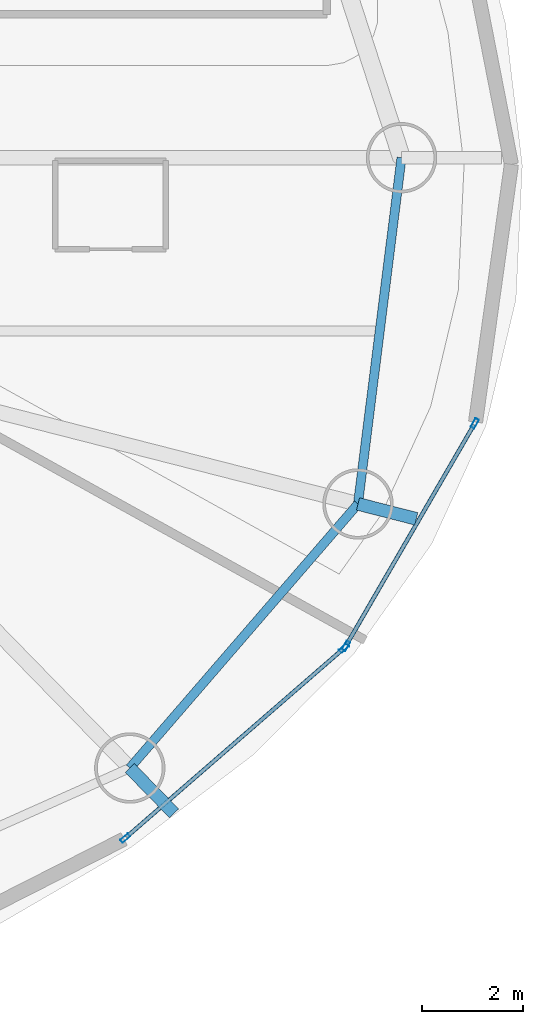
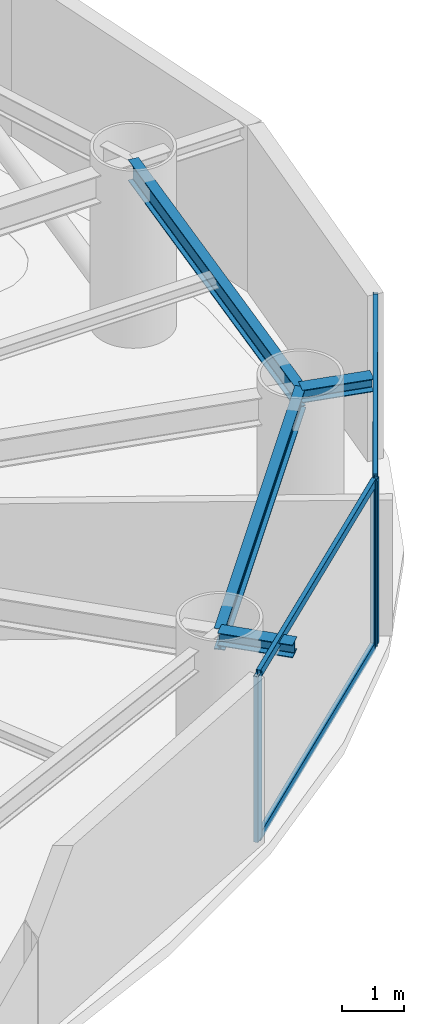
# One storey, part 5 of 19: 8 members, 4 beams, 2 elements without a shape of their own.
"""IFC4 building model written with IfcOpenShell, lengths in metres."""

from ifc_helpers import new_model, si_unit, direction, frame, origin, origin_2d, place, context, subcontext, project, spatial, hollow_rectangle, i_section, extrude, material, layer, layer_set, material_profile, profile_set, type_object, element, aggregate, save


model = new_model("IFC4")

# Units and contexts
model_context = context("Model", 3, precision=1e-05, world=origin(), true_north=direction((0.0, 1.0)))
body_context = subcontext(model_context, "Body", "Model", "MODEL_VIEW")
ifc_project = project(units=[si_unit("LENGTHUNIT", "METRE"), si_unit("AREAUNIT", "SQUARE_METRE"), si_unit("VOLUMEUNIT", "CUBIC_METRE"), si_unit("PLANEANGLEUNIT", "RADIAN"), si_unit("MASSUNIT", "GRAM", prefix="KILO")], contexts=[model_context])

# Site, building, storey
site_placement = place(None, origin())
site = spatial("IfcSite", under=ifc_project, at=site_placement, CompositionType="ELEMENT")
building_placement = place(site_placement, origin())
building = spatial("IfcBuilding", under=site, at=building_placement, Name="Bramvorn Convention Spire", CompositionType="ELEMENT")
storey_placement = place(building_placement, frame((0.0, 0.0, 109.800048828125)))
storey = spatial("IfcBuildingStorey", under=building, at=storey_placement, Name="L26", CompositionType="ELEMENT", Elevation=109.800048828125)

# Beams
ifc_material_1 = material(Name="Steel CSA G40.21 Grade 350 (350W)", Category="steel")
ifc_material_profile_1 = material_profile(ifc_material_1, i_section(OverallWidth=0.25390625, OverallDepth=0.2529296875, WebThickness=0.008544921875, FlangeThickness=0.01416015625, FilletRadius=0.011962890625, at=origin_2d()))
ifc_profile_set_1 = profile_set([ifc_material_profile_1], Name="Steel CSA G40.21 Grade 350 (350W) - W250X73")
beam_type_1 = type_object("IfcBeamType", Name="BM-W250X73", PredefinedType="BEAM", material=ifc_profile_set_1)
beam_1_placement = place(storey_placement, frame((62.11767578125, 15.26220703125, 3.133544921875), z_axis=(0.968844838785, -0.247668484794, 0.0), x_axis=(0.247668484794, 0.968844838785, 0.0)))
element("IfcBeam", 1, at=beam_1_placement, inside=storey, type_object=beam_type_1, Name="L26 slab-edge cantilever tip beam MC01", PredefinedType="BEAM", context=body_context, shape_type="SweptSolid", body=[
    extrude(i_section(OverallWidth=0.25390625, OverallDepth=0.2529296875, WebThickness=0.008544921875, FlangeThickness=0.01416015625, FilletRadius=0.011962890625, at=origin_2d()), origin(), (0.0, 0.0, 1.0), 1.19677734375),
])
beam_2_placement = place(storey_placement, frame((57.579833984375, 10.0107421875, 3.133544921875), z_axis=(0.698236690754, -0.715866973456, 0.0), x_axis=(0.715866973456, 0.698236690754, 0.0)))
element("IfcBeam", 2, at=beam_2_placement, inside=storey, type_object=beam_type_1, Name="L26 slab-edge cantilever tip beam MC16", PredefinedType="BEAM", context=body_context, shape_type="SweptSolid", body=[
    extrude(i_section(OverallWidth=0.25390625, OverallDepth=0.2529296875, WebThickness=0.008544921875, FlangeThickness=0.01416015625, FilletRadius=0.011962890625, at=origin_2d()), origin(), (0.0, 0.0, 1.0), 1.26025390625),
])
ifc_material_profile_2 = material_profile(ifc_material_1, i_section(OverallWidth=0.180908203125, OverallDepth=0.4169921875, WebThickness=0.010986328125, FlangeThickness=0.018310546875, FilletRadius=0.01611328125, at=origin_2d()))
ifc_profile_set_2 = profile_set([ifc_material_profile_2], Name="Steel CSA G40.21 Grade 350 (350W) - W410X85")
beam_type_2 = type_object("IfcBeamType", Name="BM-W410X85", PredefinedType="JOIST", material=ifc_profile_set_2)
beam_3_placement = place(storey_placement, frame((62.11767578125, 15.26220703125, 3.051513671875), z_axis=(0.124775053879, 0.992185056292, 0.0), x_axis=(-0.992185056292, 0.124775053879, 0.0)))
element("IfcBeam", 3, at=beam_3_placement, inside=storey, type_object=beam_type_2, Name="L26 mega-column ring beam 01", PredefinedType="JOIST", context=body_context, shape_type="SweptSolid", body=[
    extrude(i_section(OverallWidth=0.180908203125, OverallDepth=0.4169921875, WebThickness=0.010986328125, FlangeThickness=0.018310546875, FilletRadius=0.01611328125, at=origin_2d()), origin(), (0.0, 0.0, 1.0), 6.940185546875),
])
beam_4_placement = place(storey_placement, frame((57.579833984375, 10.0107421875, 3.051513671875), z_axis=(0.653824993824, 0.756645807132, 0.0), x_axis=(-0.756645807132, 0.653824993824, 0.0)))
element("IfcBeam", 4, at=beam_4_placement, inside=storey, type_object=beam_type_2, Name="L26 mega-column ring beam 16", PredefinedType="JOIST", context=body_context, shape_type="SweptSolid", body=[
    extrude(i_section(OverallWidth=0.180908203125, OverallDepth=0.4169921875, WebThickness=0.010986328125, FlangeThickness=0.018310546875, FilletRadius=0.01611328125, at=origin_2d()), origin(), (0.0, 0.0, 1.0), 6.9404296875),
])

# Curtain wall, members
ifc_material_2 = material(Name="Anodised Bronze Unitised Curtain Wall", Category="aluminium")
ifc_layer = layer(ifc_material_2, 0.179931640625)
ifc_layer_set = layer_set([ifc_layer], Name="Anodised Bronze Unitised Curtain Wall - CW-HTL-FRIT")
curtain_wall_type = type_object("IfcCurtainWallType", Name="CW-HTL-FRIT", PredefinedType="USERDEFINED", material=ifc_layer_set)
curtain_wall_1_placement = place(storey_placement, origin())
curtain_wall_1 = element("IfcCurtainWall", 5, at=curtain_wall_1_placement, inside=storey, type_object=curtain_wall_type, Name="L26 fritted glass curtain wall 23", ObjectType="UNITISED CURTAIN WALL", PredefinedType="USERDEFINED")
ifc_material_3 = material(Name="Anodised Bronze Aluminium 6063-T6", Category="aluminium")
ifc_material_profile_3 = material_profile(ifc_material_3, hollow_rectangle(XDim=0.080078125, YDim=0.199951171875, WallThickness=0.00390625, InnerFilletRadius=0.0009765625, OuterFilletRadius=0.00390625, at=origin_2d()))
ifc_profile_set_3 = profile_set([ifc_material_profile_3], Name="Anodised Bronze Aluminium 6063-T6 - CWM80X200")
member_type_1 = type_object("IfcMemberType", Name="CW-MUL-180", PredefinedType="MULLION", material=ifc_profile_set_3)
member_1_placement = place(storey_placement, frame((61.839599609375, 12.3935546875, 0.0), z_axis=(0.0, 0.0, 1.0), x_axis=(0.655509637364, -0.755186808229, 0.0)))
member_1 = element("IfcMember", 6, at=member_1_placement, type_object=member_type_1, Name="CW2 mullion 1", PredefinedType="MULLION", context=body_context, shape_type="SweptSolid", body=[
    extrude(hollow_rectangle(XDim=0.080078125, YDim=0.199951171875, WallThickness=0.00390625, InnerFilletRadius=0.0009765625, OuterFilletRadius=0.00390625, at=origin_2d()), origin(), (0.0, 0.0, 1.0), 3.260009765625),
])
member_2_placement = place(storey_placement, frame((57.487548828125, 8.615966796875, 0.0), z_axis=(0.0, 0.0, 1.0), x_axis=(0.655509637364, -0.755186808229, 0.0)))
member_2 = element("IfcMember", 7, at=member_2_placement, type_object=member_type_1, Name="CW2 mullion 2", PredefinedType="MULLION", context=body_context, shape_type="SweptSolid", body=[
    extrude(hollow_rectangle(XDim=0.080078125, YDim=0.199951171875, WallThickness=0.00390625, InnerFilletRadius=0.0009765625, OuterFilletRadius=0.00390625, at=origin_2d()), origin(), (0.0, 0.0, 1.0), 3.260009765625),
])

curtain_wall_2_placement = place(storey_placement, origin())
curtain_wall_2 = element("IfcCurtainWall", 8, at=curtain_wall_2_placement, inside=storey, type_object=curtain_wall_type, Name="L26 fritted glass curtain wall 24", ObjectType="UNITISED CURTAIN WALL", PredefinedType="USERDEFINED")
member_3_placement = place(storey_placement, frame((64.440673828125, 16.86474609375, 0.0), z_axis=(0.0, 0.0, 1.0), x_axis=(0.865337178145, -0.501190151659, 0.0)))
member_3 = element("IfcMember", 9, at=member_3_placement, type_object=member_type_1, Name="CW2 mullion 1", PredefinedType="MULLION", context=body_context, shape_type="SweptSolid", body=[
    extrude(hollow_rectangle(XDim=0.080078125, YDim=0.199951171875, WallThickness=0.00390625, InnerFilletRadius=0.0009765625, OuterFilletRadius=0.00390625, at=origin_2d()), origin(), (0.0, 0.0, 1.0), 3.260009765625),
])
member_4_placement = place(storey_placement, frame((61.87744140625, 12.43896484375, 0.0), z_axis=(0.0, 0.0, 1.0), x_axis=(0.865337178145, -0.501190151659, 0.0)))
member_4 = element("IfcMember", 10, at=member_4_placement, type_object=member_type_1, Name="CW2 mullion 2", PredefinedType="MULLION", context=body_context, shape_type="SweptSolid", body=[
    extrude(hollow_rectangle(XDim=0.080078125, YDim=0.199951171875, WallThickness=0.00390625, InnerFilletRadius=0.0009765625, OuterFilletRadius=0.00390625, at=origin_2d()), origin(), (0.0, 0.0, 1.0), 3.260009765625),
])

# Member
ifc_material_profile_4 = material_profile(ifc_material_3, hollow_rectangle(XDim=0.080078125, YDim=0.159912109375, WallThickness=0.00390625, InnerFilletRadius=0.0009765625, OuterFilletRadius=0.00390625, at=origin_2d()))
ifc_profile_set_4 = profile_set([ifc_material_profile_4], Name="Anodised Bronze Aluminium 6063-T6 - CWT80X160")
member_type_2 = type_object("IfcMemberType", Name="CW-TRN-150", PredefinedType="USERDEFINED", material=ifc_profile_set_4)
member_5_placement = place(storey_placement, frame((61.81689453125, 12.373779296875, 0.030029296875), z_axis=(-0.755180342394, -0.655517086323, 0.0), x_axis=(0.655517086323, -0.755180342394, 0.0)))
member_5 = element("IfcMember", 11, at=member_5_placement, type_object=member_type_2, Name="CW2 transom 1.1", ObjectType="TRANSOM", PredefinedType="USERDEFINED", context=body_context, shape_type="SweptSolid", body=[
    extrude(hollow_rectangle(XDim=0.080078125, YDim=0.159912109375, WallThickness=0.00390625, InnerFilletRadius=0.0009765625, OuterFilletRadius=0.00390625, at=origin_2d()), origin(), (0.0, 0.0, 1.0), 5.702880859375),
])

member_6_placement = place(storey_placement, frame((61.81689453125, 12.373779296875, 3.22998046875), z_axis=(-0.755180342394, -0.655517086323, 0.0), x_axis=(0.655517086323, -0.755180342394, 0.0)))
member_6 = element("IfcMember", 12, at=member_6_placement, type_object=member_type_2, Name="CW2 transom 1.2", ObjectType="TRANSOM", PredefinedType="USERDEFINED", context=body_context, shape_type="SweptSolid", body=[
    extrude(hollow_rectangle(XDim=0.080078125, YDim=0.159912109375, WallThickness=0.00390625, InnerFilletRadius=0.0009765625, OuterFilletRadius=0.00390625, at=origin_2d()), origin(), (0.0, 0.0, 1.0), 5.702880859375),
])

aggregate(curtain_wall_1, [member_1, member_2, member_5, member_6])

member_7_placement = place(storey_placement, frame((64.425537109375, 16.838623046875, 0.030029296875), z_axis=(-0.501207631503, -0.865327053849, 0.0), x_axis=(0.865327053849, -0.501207631503, 0.0)))
member_7 = element("IfcMember", 13, at=member_7_placement, type_object=member_type_2, Name="CW2 transom 1.1", ObjectType="TRANSOM", PredefinedType="USERDEFINED", context=body_context, shape_type="SweptSolid", body=[
    extrude(hollow_rectangle(XDim=0.080078125, YDim=0.159912109375, WallThickness=0.00390625, InnerFilletRadius=0.0009765625, OuterFilletRadius=0.00390625, at=origin_2d()), origin(), (0.0, 0.0, 1.0), 5.05419921875),
])

member_8_placement = place(storey_placement, frame((64.425537109375, 16.838623046875, 3.22998046875), z_axis=(-0.501207631503, -0.865327053849, 0.0), x_axis=(0.865327053849, -0.501207631503, 0.0)))
member_8 = element("IfcMember", 14, at=member_8_placement, type_object=member_type_2, Name="CW2 transom 1.2", ObjectType="TRANSOM", PredefinedType="USERDEFINED", context=body_context, shape_type="SweptSolid", body=[
    extrude(hollow_rectangle(XDim=0.080078125, YDim=0.159912109375, WallThickness=0.00390625, InnerFilletRadius=0.0009765625, OuterFilletRadius=0.00390625, at=origin_2d()), origin(), (0.0, 0.0, 1.0), 5.05419921875),
])

aggregate(curtain_wall_2, [member_3, member_4, member_7, member_8])

save(model, "model.ifc")
